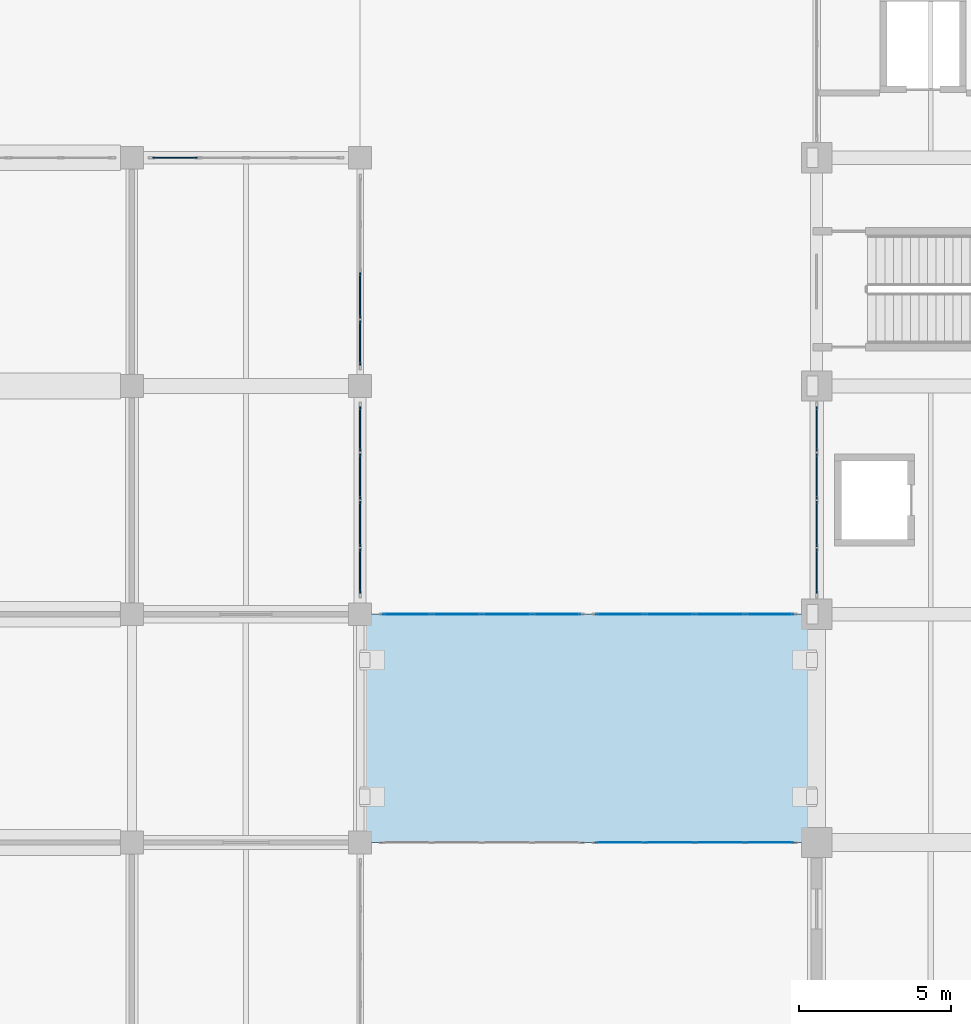
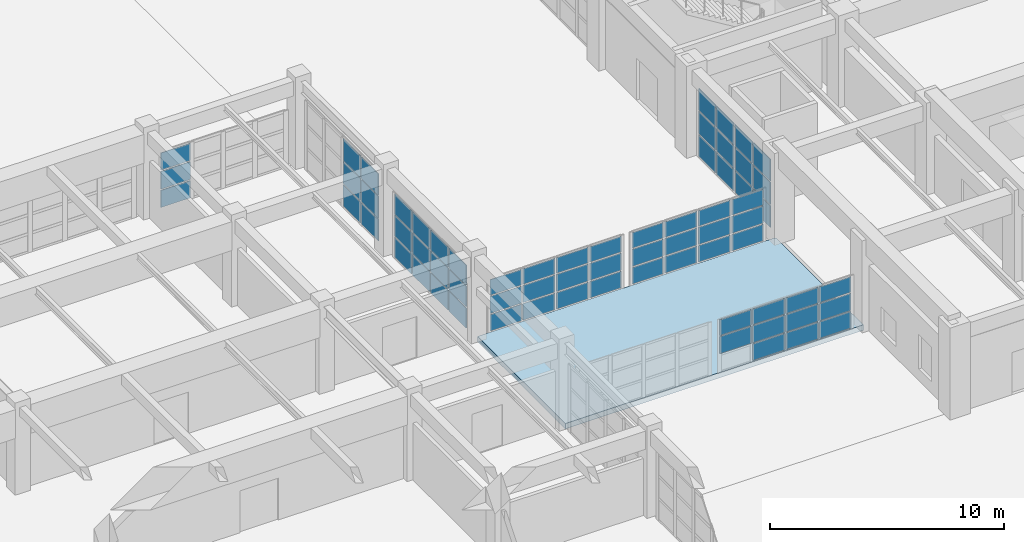
# One storey, part 73 of 122: 68 plates, 1 slab, 7 elements without a shape of their own.
"""IFC4 building model written with IfcOpenShell, lengths in metres."""

from ifc_helpers import new_model, si_unit, direction, frame, origin, origin_2d, place, context, subcontext, project, spatial, polyline, rectangle, outline, extrude, material, layer, layer_set, type_object, element, aggregate, save


model = new_model("IFC4")

# Units and contexts
model_context = context("Model", 3, precision=1e-05, world=origin(), true_north=direction((0.0, 1.0)))
body_context = subcontext(model_context, "Body", "Model", "MODEL_VIEW")
ifc_project = project(units=[si_unit("LENGTHUNIT", "METRE"), si_unit("AREAUNIT", "SQUARE_METRE"), si_unit("VOLUMEUNIT", "CUBIC_METRE"), si_unit("PLANEANGLEUNIT", "RADIAN"), si_unit("MASSUNIT", "GRAM", prefix="KILO")], contexts=[model_context])

# Site, building, storey
site_placement = place(None, origin())
site = spatial("IfcSite", under=ifc_project, at=site_placement, CompositionType="ELEMENT")
building_placement = place(site_placement, origin())
building = spatial("IfcBuilding", under=site, at=building_placement, Name="Qasida Concert Hall", CompositionType="ELEMENT")
storey_placement = place(building_placement, origin())
storey = spatial("IfcBuildingStorey", under=building, at=storey_placement, Name="L00", CompositionType="ELEMENT", Elevation=0.0)

# Curtain wall, plates
ifc_material_1 = material(Name="Architectural bronze-anodized aluminium and low-E glass", Category="aluminium")
curtain_wall_type_1 = type_object("IfcCurtainWallType", Name="CW-01", PredefinedType="NOTDEFINED", material=ifc_material_1)
curtain_wall_1_placement = place(storey_placement, origin())
curtain_wall_1 = element("IfcCurtainWall", 1, at=curtain_wall_1_placement, inside=storey, type_object=curtain_wall_type_1, Name="L00 curtain wall CW-01 0037", PredefinedType="NOTDEFINED")
ifc_material_2 = material(Name="Solar-control low-E double glazing", Category="glass")
ifc_layer_1 = layer(ifc_material_2, 0.035888671875, Name="Solar-control low-E double glazing")
ifc_layer_set_1 = layer_set([ifc_layer_1], Name="Solar-control low-E double glazing")
plate_type_1 = type_object("IfcPlateType", Name="PLT-CWP-1", PredefinedType="CURTAIN_PANEL", material=ifc_layer_set_1)
plate_1_placement = place(storey_placement, frame((52.5, 38.919921875, 0.06494140625), z_axis=(0.0, 0.0, 1.0), x_axis=(0.0, 1.0, 0.0)))
plate_1 = element("IfcPlate", 2, at=plate_1_placement, type_object=plate_type_1, Name="CW-01 panel 1.1", PredefinedType="CURTAIN_PANEL", context=body_context, shape_type="SweptSolid", body=[
    extrude(rectangle(XDim=1.4599609375, YDim=0.035888671875, at=origin_2d()), origin(), (0.0, 0.0, 1.0), 1.125732421875),
])
plate_2_placement = place(storey_placement, frame((52.5, 38.919921875, 1.255859375), z_axis=(0.0, 0.0, 1.0), x_axis=(0.0, 1.0, 0.0)))
plate_2 = element("IfcPlate", 3, at=plate_2_placement, type_object=plate_type_1, Name="CW-01 panel 1.2", PredefinedType="CURTAIN_PANEL", context=body_context, shape_type="SweptSolid", body=[
    extrude(rectangle(XDim=1.4599609375, YDim=0.035888671875, at=origin_2d()), origin(), (0.0, 0.0, 1.0), 1.158447265625),
])
plate_3_placement = place(storey_placement, frame((52.5, 38.919921875, 2.47900390625), z_axis=(0.0, 0.0, 1.0), x_axis=(0.0, 1.0, 0.0)))
plate_3 = element("IfcPlate", 4, at=plate_3_placement, type_object=plate_type_1, Name="CW-01 panel 1.3", PredefinedType="CURTAIN_PANEL", context=body_context, shape_type="SweptSolid", body=[
    extrude(rectangle(XDim=1.4599609375, YDim=0.035888671875, at=origin_2d()), origin(), (0.0, 0.0, 1.0), 1.125732421875),
])
plate_4_placement = place(storey_placement, frame((52.5, 40.467529296875, 0.06494140625), z_axis=(0.0, 0.0, 1.0), x_axis=(0.0, 1.0, 0.0)))
plate_4 = element("IfcPlate", 5, at=plate_4_placement, type_object=plate_type_1, Name="CW-01 panel 2.1", PredefinedType="CURTAIN_PANEL", context=body_context, shape_type="SweptSolid", body=[
    extrude(rectangle(XDim=1.4951171875, YDim=0.035888671875, at=origin_2d()), origin(), (0.0, 0.0, 1.0), 1.125732421875),
])
plate_5_placement = place(storey_placement, frame((52.5, 40.467529296875, 1.255859375), z_axis=(0.0, 0.0, 1.0), x_axis=(0.0, 1.0, 0.0)))
plate_5 = element("IfcPlate", 6, at=plate_5_placement, type_object=plate_type_1, Name="CW-01 panel 2.2", PredefinedType="CURTAIN_PANEL", context=body_context, shape_type="SweptSolid", body=[
    extrude(rectangle(XDim=1.4951171875, YDim=0.035888671875, at=origin_2d()), origin(), (0.0, 0.0, 1.0), 1.158447265625),
])
plate_6_placement = place(storey_placement, frame((52.5, 40.467529296875, 2.47900390625), z_axis=(0.0, 0.0, 1.0), x_axis=(0.0, 1.0, 0.0)))
plate_6 = element("IfcPlate", 7, at=plate_6_placement, type_object=plate_type_1, Name="CW-01 panel 2.3", PredefinedType="CURTAIN_PANEL", context=body_context, shape_type="SweptSolid", body=[
    extrude(rectangle(XDim=1.4951171875, YDim=0.035888671875, at=origin_2d()), origin(), (0.0, 0.0, 1.0), 1.125732421875),
])
plate_7_placement = place(storey_placement, frame((52.5, 42.032470703125, 0.06494140625), z_axis=(0.0, 0.0, 1.0), x_axis=(0.0, 1.0, 0.0)))
plate_7 = element("IfcPlate", 8, at=plate_7_placement, type_object=plate_type_1, Name="CW-01 panel 3.1", PredefinedType="CURTAIN_PANEL", context=body_context, shape_type="SweptSolid", body=[
    extrude(rectangle(XDim=1.4951171875, YDim=0.035888671875, at=origin_2d()), origin(), (0.0, 0.0, 1.0), 1.125732421875),
])
plate_8_placement = place(storey_placement, frame((52.5, 42.032470703125, 1.255859375), z_axis=(0.0, 0.0, 1.0), x_axis=(0.0, 1.0, 0.0)))
plate_8 = element("IfcPlate", 9, at=plate_8_placement, type_object=plate_type_1, Name="CW-01 panel 3.2", PredefinedType="CURTAIN_PANEL", context=body_context, shape_type="SweptSolid", body=[
    extrude(rectangle(XDim=1.4951171875, YDim=0.035888671875, at=origin_2d()), origin(), (0.0, 0.0, 1.0), 1.158447265625),
])
plate_9_placement = place(storey_placement, frame((52.5, 42.032470703125, 2.47900390625), z_axis=(0.0, 0.0, 1.0), x_axis=(0.0, 1.0, 0.0)))
plate_9 = element("IfcPlate", 10, at=plate_9_placement, type_object=plate_type_1, Name="CW-01 panel 3.3", PredefinedType="CURTAIN_PANEL", context=body_context, shape_type="SweptSolid", body=[
    extrude(rectangle(XDim=1.4951171875, YDim=0.035888671875, at=origin_2d()), origin(), (0.0, 0.0, 1.0), 1.125732421875),
])
plate_10_placement = place(storey_placement, frame((52.5, 43.580078125, 0.06494140625), z_axis=(0.0, 0.0, 1.0), x_axis=(0.0, 1.0, 0.0)))
plate_10 = element("IfcPlate", 11, at=plate_10_placement, type_object=plate_type_1, Name="CW-01 panel 4.1", PredefinedType="CURTAIN_PANEL", context=body_context, shape_type="SweptSolid", body=[
    extrude(rectangle(XDim=1.4599609375, YDim=0.035888671875, at=origin_2d()), origin(), (0.0, 0.0, 1.0), 1.125732421875),
])
plate_11_placement = place(storey_placement, frame((52.5, 43.580078125, 1.255859375), z_axis=(0.0, 0.0, 1.0), x_axis=(0.0, 1.0, 0.0)))
plate_11 = element("IfcPlate", 12, at=plate_11_placement, type_object=plate_type_1, Name="CW-01 panel 4.2", PredefinedType="CURTAIN_PANEL", context=body_context, shape_type="SweptSolid", body=[
    extrude(rectangle(XDim=1.4599609375, YDim=0.035888671875, at=origin_2d()), origin(), (0.0, 0.0, 1.0), 1.158447265625),
])
plate_12_placement = place(storey_placement, frame((52.5, 43.580078125, 2.47900390625), z_axis=(0.0, 0.0, 1.0), x_axis=(0.0, 1.0, 0.0)))
plate_12 = element("IfcPlate", 13, at=plate_12_placement, type_object=plate_type_1, Name="CW-01 panel 4.3", PredefinedType="CURTAIN_PANEL", context=body_context, shape_type="SweptSolid", body=[
    extrude(rectangle(XDim=1.4599609375, YDim=0.035888671875, at=origin_2d()), origin(), (0.0, 0.0, 1.0), 1.125732421875),
])
aggregate(curtain_wall_1, [plate_1, plate_2, plate_3, plate_4, plate_5, plate_6, plate_7, plate_8, plate_9, plate_10, plate_11, plate_12])

curtain_wall_type_2 = type_object("IfcCurtainWallType", Name="CW-06", PredefinedType="NOTDEFINED", material=ifc_material_1)
curtain_wall_2_placement = place(storey_placement, origin())
curtain_wall_2 = element("IfcCurtainWall", 14, at=curtain_wall_2_placement, inside=storey, type_object=curtain_wall_type_2, Name="L00 curtain wall CW-06 0072", PredefinedType="NOTDEFINED")
ifc_layer_2 = layer(ifc_material_2, 0.0400390625, Name="Solar-control low-E double glazing")
ifc_layer_set_2 = layer_set([ifc_layer_2], Name="Solar-control low-E double glazing")
plate_type_2 = type_object("IfcPlateType", Name="PLT-CWP-4", PredefinedType="CURTAIN_PANEL", material=ifc_layer_set_2)
plate_13_placement = place(storey_placement, frame((31.419921875, 52.5, 0.06494140625), z_axis=(0.0, 0.0, 1.0), x_axis=(1.0, 0.0, 0.0)))
plate_13 = element("IfcPlate", 15, at=plate_13_placement, type_object=plate_type_2, Name="CW-06 panel 1.1", PredefinedType="CURTAIN_PANEL", context=body_context, shape_type="SweptSolid", body=[
    extrude(rectangle(XDim=1.4599609375, YDim=0.0400390625, at=origin_2d()), origin(), (0.0, 0.0, 1.0), 0.892578125),
])
plate_14_placement = place(storey_placement, frame((31.419921875, 52.5, 1.0224609375), z_axis=(0.0, 0.0, 1.0), x_axis=(1.0, 0.0, 0.0)))
plate_14 = element("IfcPlate", 16, at=plate_14_placement, type_object=plate_type_2, Name="CW-06 panel 1.2", PredefinedType="CURTAIN_PANEL", context=body_context, shape_type="SweptSolid", body=[
    extrude(rectangle(XDim=1.4599609375, YDim=0.0400390625, at=origin_2d()), origin(), (0.0, 0.0, 1.0), 0.925048828125),
])
plate_15_placement = place(storey_placement, frame((31.419921875, 52.5, 2.012451171875), z_axis=(0.0, 0.0, 1.0), x_axis=(1.0, 0.0, 0.0)))
plate_15 = element("IfcPlate", 17, at=plate_15_placement, type_object=plate_type_2, Name="CW-06 panel 1.3", PredefinedType="CURTAIN_PANEL", context=body_context, shape_type="SweptSolid", body=[
    extrude(rectangle(XDim=1.4599609375, YDim=0.0400390625, at=origin_2d()), origin(), (0.0, 0.0, 1.0), 0.892578125),
])
aggregate(curtain_wall_2, [plate_13, plate_14, plate_15])

curtain_wall_3_placement = place(storey_placement, origin())
curtain_wall_3 = element("IfcCurtainWall", 18, at=curtain_wall_3_placement, inside=storey, type_object=curtain_wall_type_2, Name="L00 curtain wall CW-06 0079", PredefinedType="NOTDEFINED")
plate_16_placement = place(storey_placement, frame((37.5, 38.919921875, 0.06494140625), z_axis=(0.0, 0.0, 1.0), x_axis=(0.0, 1.0, 0.0)))
plate_16 = element("IfcPlate", 19, at=plate_16_placement, type_object=plate_type_2, Name="CW-06 panel 1.1", PredefinedType="CURTAIN_PANEL", context=body_context, shape_type="SweptSolid", body=[
    extrude(rectangle(XDim=1.4599609375, YDim=0.0400390625, at=origin_2d()), origin(), (0.0, 0.0, 1.0), 1.04248046875),
])
plate_17_placement = place(storey_placement, frame((37.5, 38.919921875, 1.17236328125), z_axis=(0.0, 0.0, 1.0), x_axis=(0.0, 1.0, 0.0)))
plate_17 = element("IfcPlate", 20, at=plate_17_placement, type_object=plate_type_2, Name="CW-06 panel 1.2", PredefinedType="CURTAIN_PANEL", context=body_context, shape_type="SweptSolid", body=[
    extrude(rectangle(XDim=1.4599609375, YDim=0.0400390625, at=origin_2d()), origin(), (0.0, 0.0, 1.0), 1.074951171875),
])
plate_18_placement = place(storey_placement, frame((37.5, 38.919921875, 2.3125), z_axis=(0.0, 0.0, 1.0), x_axis=(0.0, 1.0, 0.0)))
plate_18 = element("IfcPlate", 21, at=plate_18_placement, type_object=plate_type_2, Name="CW-06 panel 1.3", PredefinedType="CURTAIN_PANEL", context=body_context, shape_type="SweptSolid", body=[
    extrude(rectangle(XDim=1.4599609375, YDim=0.0400390625, at=origin_2d()), origin(), (0.0, 0.0, 1.0), 1.04248046875),
])
plate_19_placement = place(storey_placement, frame((37.5, 40.467529296875, 0.06494140625), z_axis=(0.0, 0.0, 1.0), x_axis=(0.0, 1.0, 0.0)))
plate_19 = element("IfcPlate", 22, at=plate_19_placement, type_object=plate_type_2, Name="CW-06 panel 2.1", PredefinedType="CURTAIN_PANEL", context=body_context, shape_type="SweptSolid", body=[
    extrude(rectangle(XDim=1.4951171875, YDim=0.0400390625, at=origin_2d()), origin(), (0.0, 0.0, 1.0), 1.04248046875),
])
plate_20_placement = place(storey_placement, frame((37.5, 40.467529296875, 1.17236328125), z_axis=(0.0, 0.0, 1.0), x_axis=(0.0, 1.0, 0.0)))
plate_20 = element("IfcPlate", 23, at=plate_20_placement, type_object=plate_type_2, Name="CW-06 panel 2.2", PredefinedType="CURTAIN_PANEL", context=body_context, shape_type="SweptSolid", body=[
    extrude(rectangle(XDim=1.4951171875, YDim=0.0400390625, at=origin_2d()), origin(), (0.0, 0.0, 1.0), 1.074951171875),
])
plate_21_placement = place(storey_placement, frame((37.5, 40.467529296875, 2.3125), z_axis=(0.0, 0.0, 1.0), x_axis=(0.0, 1.0, 0.0)))
plate_21 = element("IfcPlate", 24, at=plate_21_placement, type_object=plate_type_2, Name="CW-06 panel 2.3", PredefinedType="CURTAIN_PANEL", context=body_context, shape_type="SweptSolid", body=[
    extrude(rectangle(XDim=1.4951171875, YDim=0.0400390625, at=origin_2d()), origin(), (0.0, 0.0, 1.0), 1.04248046875),
])
plate_22_placement = place(storey_placement, frame((37.5, 42.032470703125, 0.06494140625), z_axis=(0.0, 0.0, 1.0), x_axis=(0.0, 1.0, 0.0)))
plate_22 = element("IfcPlate", 25, at=plate_22_placement, type_object=plate_type_2, Name="CW-06 panel 3.1", PredefinedType="CURTAIN_PANEL", context=body_context, shape_type="SweptSolid", body=[
    extrude(rectangle(XDim=1.4951171875, YDim=0.0400390625, at=origin_2d()), origin(), (0.0, 0.0, 1.0), 1.04248046875),
])
plate_23_placement = place(storey_placement, frame((37.5, 42.032470703125, 1.17236328125), z_axis=(0.0, 0.0, 1.0), x_axis=(0.0, 1.0, 0.0)))
plate_23 = element("IfcPlate", 26, at=plate_23_placement, type_object=plate_type_2, Name="CW-06 panel 3.2", PredefinedType="CURTAIN_PANEL", context=body_context, shape_type="SweptSolid", body=[
    extrude(rectangle(XDim=1.4951171875, YDim=0.0400390625, at=origin_2d()), origin(), (0.0, 0.0, 1.0), 1.074951171875),
])
plate_24_placement = place(storey_placement, frame((37.5, 42.032470703125, 2.3125), z_axis=(0.0, 0.0, 1.0), x_axis=(0.0, 1.0, 0.0)))
plate_24 = element("IfcPlate", 27, at=plate_24_placement, type_object=plate_type_2, Name="CW-06 panel 3.3", PredefinedType="CURTAIN_PANEL", context=body_context, shape_type="SweptSolid", body=[
    extrude(rectangle(XDim=1.4951171875, YDim=0.0400390625, at=origin_2d()), origin(), (0.0, 0.0, 1.0), 1.04248046875),
])
plate_25_placement = place(storey_placement, frame((37.5, 43.580078125, 0.06494140625), z_axis=(0.0, 0.0, 1.0), x_axis=(0.0, 1.0, 0.0)))
plate_25 = element("IfcPlate", 28, at=plate_25_placement, type_object=plate_type_2, Name="CW-06 panel 4.1", PredefinedType="CURTAIN_PANEL", context=body_context, shape_type="SweptSolid", body=[
    extrude(rectangle(XDim=1.4599609375, YDim=0.0400390625, at=origin_2d()), origin(), (0.0, 0.0, 1.0), 1.04248046875),
])
plate_26_placement = place(storey_placement, frame((37.5, 43.580078125, 1.17236328125), z_axis=(0.0, 0.0, 1.0), x_axis=(0.0, 1.0, 0.0)))
plate_26 = element("IfcPlate", 29, at=plate_26_placement, type_object=plate_type_2, Name="CW-06 panel 4.2", PredefinedType="CURTAIN_PANEL", context=body_context, shape_type="SweptSolid", body=[
    extrude(rectangle(XDim=1.4599609375, YDim=0.0400390625, at=origin_2d()), origin(), (0.0, 0.0, 1.0), 1.074951171875),
])
plate_27_placement = place(storey_placement, frame((37.5, 43.580078125, 2.3125), z_axis=(0.0, 0.0, 1.0), x_axis=(0.0, 1.0, 0.0)))
plate_27 = element("IfcPlate", 30, at=plate_27_placement, type_object=plate_type_2, Name="CW-06 panel 4.3", PredefinedType="CURTAIN_PANEL", context=body_context, shape_type="SweptSolid", body=[
    extrude(rectangle(XDim=1.4599609375, YDim=0.0400390625, at=origin_2d()), origin(), (0.0, 0.0, 1.0), 1.04248046875),
])
aggregate(curtain_wall_3, [plate_16, plate_17, plate_18, plate_19, plate_20, plate_21, plate_22, plate_23, plate_24, plate_25, plate_26, plate_27])

curtain_wall_4_placement = place(storey_placement, origin())
curtain_wall_4 = element("IfcCurtainWall", 31, at=curtain_wall_4_placement, inside=storey, type_object=curtain_wall_type_2, Name="L00 curtain wall CW-06 0080", PredefinedType="NOTDEFINED")
plate_28_placement = place(storey_placement, frame((37.5, 46.419921875, 0.06494140625), z_axis=(0.0, 0.0, 1.0), x_axis=(0.0, 1.0, 0.0)))
plate_28 = element("IfcPlate", 32, at=plate_28_placement, type_object=plate_type_2, Name="CW-06 panel 1.1", PredefinedType="CURTAIN_PANEL", context=body_context, shape_type="SweptSolid", body=[
    extrude(rectangle(XDim=1.4599609375, YDim=0.0400390625, at=origin_2d()), origin(), (0.0, 0.0, 1.0), 1.109130859375),
])
plate_29_placement = place(storey_placement, frame((37.5, 46.419921875, 1.2392578125), z_axis=(0.0, 0.0, 1.0), x_axis=(0.0, 1.0, 0.0)))
plate_29 = element("IfcPlate", 33, at=plate_29_placement, type_object=plate_type_2, Name="CW-06 panel 1.2", PredefinedType="CURTAIN_PANEL", context=body_context, shape_type="SweptSolid", body=[
    extrude(rectangle(XDim=1.4599609375, YDim=0.0400390625, at=origin_2d()), origin(), (0.0, 0.0, 1.0), 1.1416015625),
])
plate_30_placement = place(storey_placement, frame((37.5, 46.419921875, 2.44580078125), z_axis=(0.0, 0.0, 1.0), x_axis=(0.0, 1.0, 0.0)))
plate_30 = element("IfcPlate", 34, at=plate_30_placement, type_object=plate_type_2, Name="CW-06 panel 1.3", PredefinedType="CURTAIN_PANEL", context=body_context, shape_type="SweptSolid", body=[
    extrude(rectangle(XDim=1.4599609375, YDim=0.0400390625, at=origin_2d()), origin(), (0.0, 0.0, 1.0), 1.109130859375),
])
plate_31_placement = place(storey_placement, frame((37.5, 47.967529296875, 0.06494140625), z_axis=(0.0, 0.0, 1.0), x_axis=(0.0, 1.0, 0.0)))
plate_31 = element("IfcPlate", 35, at=plate_31_placement, type_object=plate_type_2, Name="CW-06 panel 2.1", PredefinedType="CURTAIN_PANEL", context=body_context, shape_type="SweptSolid", body=[
    extrude(rectangle(XDim=1.4951171875, YDim=0.0400390625, at=origin_2d()), origin(), (0.0, 0.0, 1.0), 1.109130859375),
])
plate_32_placement = place(storey_placement, frame((37.5, 47.967529296875, 1.2392578125), z_axis=(0.0, 0.0, 1.0), x_axis=(0.0, 1.0, 0.0)))
plate_32 = element("IfcPlate", 36, at=plate_32_placement, type_object=plate_type_2, Name="CW-06 panel 2.2", PredefinedType="CURTAIN_PANEL", context=body_context, shape_type="SweptSolid", body=[
    extrude(rectangle(XDim=1.4951171875, YDim=0.0400390625, at=origin_2d()), origin(), (0.0, 0.0, 1.0), 1.1416015625),
])
plate_33_placement = place(storey_placement, frame((37.5, 47.967529296875, 2.44580078125), z_axis=(0.0, 0.0, 1.0), x_axis=(0.0, 1.0, 0.0)))
plate_33 = element("IfcPlate", 37, at=plate_33_placement, type_object=plate_type_2, Name="CW-06 panel 2.3", PredefinedType="CURTAIN_PANEL", context=body_context, shape_type="SweptSolid", body=[
    extrude(rectangle(XDim=1.4951171875, YDim=0.0400390625, at=origin_2d()), origin(), (0.0, 0.0, 1.0), 1.109130859375),
])
aggregate(curtain_wall_4, [plate_28, plate_29, plate_30, plate_31, plate_32, plate_33])

curtain_wall_type_3 = type_object("IfcCurtainWallType", Name="CW-08", PredefinedType="NOTDEFINED", material=ifc_material_1)
curtain_wall_5_placement = place(storey_placement, origin())
curtain_wall_5 = element("IfcCurtainWall", 38, at=curtain_wall_5_placement, inside=storey, type_object=curtain_wall_type_3, Name="L00 link bridge glazing 0195", PredefinedType="NOTDEFINED")
ifc_layer_3 = layer(ifc_material_2, 0.02392578125, Name="Solar-control low-E double glazing")
ifc_layer_set_3 = layer_set([ifc_layer_3], Name="Solar-control low-E double glazing")
plate_type_3 = type_object("IfcPlateType", Name="PLT-CWP-5", PredefinedType="CURTAIN_PANEL", material=ifc_layer_set_3)
plate_34_placement = place(storey_placement, frame((39.041259765625, 37.5, 0.06005859375), z_axis=(0.0, 0.0, 1.0), x_axis=(1.0, 0.0, 0.0)))
plate_34 = element("IfcPlate", 39, at=plate_34_placement, type_object=plate_type_3, Name="CW-08 panel 1.1", PredefinedType="CURTAIN_PANEL", context=body_context, shape_type="SweptSolid", body=[
    extrude(rectangle(XDim=1.552490234375, YDim=0.02392578125, at=origin_2d()), origin(), (0.0, 0.0, 1.0), 0.860107421875),
])
plate_35_placement = place(storey_placement, frame((39.041259765625, 37.5, 0.97998046875), z_axis=(0.0, 0.0, 1.0), x_axis=(1.0, 0.0, 0.0)))
plate_35 = element("IfcPlate", 40, at=plate_35_placement, type_object=plate_type_3, Name="CW-08 panel 1.2", PredefinedType="CURTAIN_PANEL", context=body_context, shape_type="SweptSolid", body=[
    extrude(rectangle(XDim=1.552490234375, YDim=0.02392578125, at=origin_2d()), origin(), (0.0, 0.0, 1.0), 0.889892578125),
])
plate_36_placement = place(storey_placement, frame((39.041259765625, 37.5, 1.929931640625), z_axis=(0.0, 0.0, 1.0), x_axis=(1.0, 0.0, 0.0)))
plate_36 = element("IfcPlate", 41, at=plate_36_placement, type_object=plate_type_3, Name="CW-08 panel 1.3", PredefinedType="CURTAIN_PANEL", context=body_context, shape_type="SweptSolid", body=[
    extrude(rectangle(XDim=1.552490234375, YDim=0.02392578125, at=origin_2d()), origin(), (0.0, 0.0, 1.0), 0.81005859375),
])
plate_37_placement = place(storey_placement, frame((40.675048828125, 37.5, 0.06005859375), z_axis=(0.0, 0.0, 1.0), x_axis=(1.0, 0.0, 0.0)))
plate_37 = element("IfcPlate", 42, at=plate_37_placement, type_object=plate_type_3, Name="CW-08 panel 2.1", PredefinedType="CURTAIN_PANEL", context=body_context, shape_type="SweptSolid", body=[
    extrude(rectangle(XDim=1.5849609375, YDim=0.02392578125, at=origin_2d()), origin(), (0.0, 0.0, 1.0), 0.860107421875),
])
plate_38_placement = place(storey_placement, frame((40.675048828125, 37.5, 0.97998046875), z_axis=(0.0, 0.0, 1.0), x_axis=(1.0, 0.0, 0.0)))
plate_38 = element("IfcPlate", 43, at=plate_38_placement, type_object=plate_type_3, Name="CW-08 panel 2.2", PredefinedType="CURTAIN_PANEL", context=body_context, shape_type="SweptSolid", body=[
    extrude(rectangle(XDim=1.5849609375, YDim=0.02392578125, at=origin_2d()), origin(), (0.0, 0.0, 1.0), 0.889892578125),
])
plate_39_placement = place(storey_placement, frame((40.675048828125, 37.5, 1.929931640625), z_axis=(0.0, 0.0, 1.0), x_axis=(1.0, 0.0, 0.0)))
plate_39 = element("IfcPlate", 44, at=plate_39_placement, type_object=plate_type_3, Name="CW-08 panel 2.3", PredefinedType="CURTAIN_PANEL", context=body_context, shape_type="SweptSolid", body=[
    extrude(rectangle(XDim=1.5849609375, YDim=0.02392578125, at=origin_2d()), origin(), (0.0, 0.0, 1.0), 0.81005859375),
])
plate_40_placement = place(storey_placement, frame((42.324951171875, 37.5, 0.06005859375), z_axis=(0.0, 0.0, 1.0), x_axis=(1.0, 0.0, 0.0)))
plate_40 = element("IfcPlate", 45, at=plate_40_placement, type_object=plate_type_3, Name="CW-08 panel 3.1", PredefinedType="CURTAIN_PANEL", context=body_context, shape_type="SweptSolid", body=[
    extrude(rectangle(XDim=1.5849609375, YDim=0.02392578125, at=origin_2d()), origin(), (0.0, 0.0, 1.0), 0.860107421875),
])
plate_41_placement = place(storey_placement, frame((42.324951171875, 37.5, 0.97998046875), z_axis=(0.0, 0.0, 1.0), x_axis=(1.0, 0.0, 0.0)))
plate_41 = element("IfcPlate", 46, at=plate_41_placement, type_object=plate_type_3, Name="CW-08 panel 3.2", PredefinedType="CURTAIN_PANEL", context=body_context, shape_type="SweptSolid", body=[
    extrude(rectangle(XDim=1.5849609375, YDim=0.02392578125, at=origin_2d()), origin(), (0.0, 0.0, 1.0), 0.889892578125),
])
plate_42_placement = place(storey_placement, frame((42.324951171875, 37.5, 1.929931640625), z_axis=(0.0, 0.0, 1.0), x_axis=(1.0, 0.0, 0.0)))
plate_42 = element("IfcPlate", 47, at=plate_42_placement, type_object=plate_type_3, Name="CW-08 panel 3.3", PredefinedType="CURTAIN_PANEL", context=body_context, shape_type="SweptSolid", body=[
    extrude(rectangle(XDim=1.5849609375, YDim=0.02392578125, at=origin_2d()), origin(), (0.0, 0.0, 1.0), 0.81005859375),
])
plate_43_placement = place(storey_placement, frame((43.958740234375, 37.5, 0.06005859375), z_axis=(0.0, 0.0, 1.0), x_axis=(1.0, 0.0, 0.0)))
plate_43 = element("IfcPlate", 48, at=plate_43_placement, type_object=plate_type_3, Name="CW-08 panel 4.1", PredefinedType="CURTAIN_PANEL", context=body_context, shape_type="SweptSolid", body=[
    extrude(rectangle(XDim=1.552490234375, YDim=0.02392578125, at=origin_2d()), origin(), (0.0, 0.0, 1.0), 0.860107421875),
])
plate_44_placement = place(storey_placement, frame((43.958740234375, 37.5, 0.97998046875), z_axis=(0.0, 0.0, 1.0), x_axis=(1.0, 0.0, 0.0)))
plate_44 = element("IfcPlate", 49, at=plate_44_placement, type_object=plate_type_3, Name="CW-08 panel 4.2", PredefinedType="CURTAIN_PANEL", context=body_context, shape_type="SweptSolid", body=[
    extrude(rectangle(XDim=1.552490234375, YDim=0.02392578125, at=origin_2d()), origin(), (0.0, 0.0, 1.0), 0.889892578125),
])
plate_45_placement = place(storey_placement, frame((43.958740234375, 37.5, 1.929931640625), z_axis=(0.0, 0.0, 1.0), x_axis=(1.0, 0.0, 0.0)))
plate_45 = element("IfcPlate", 50, at=plate_45_placement, type_object=plate_type_3, Name="CW-08 panel 4.3", PredefinedType="CURTAIN_PANEL", context=body_context, shape_type="SweptSolid", body=[
    extrude(rectangle(XDim=1.552490234375, YDim=0.02392578125, at=origin_2d()), origin(), (0.0, 0.0, 1.0), 0.81005859375),
])
aggregate(curtain_wall_5, [plate_34, plate_35, plate_36, plate_37, plate_38, plate_39, plate_40, plate_41, plate_42, plate_43, plate_44, plate_45])

curtain_wall_6_placement = place(storey_placement, origin())
curtain_wall_6 = element("IfcCurtainWall", 51, at=curtain_wall_6_placement, inside=storey, type_object=curtain_wall_type_3, Name="L00 link bridge glazing 0196", PredefinedType="NOTDEFINED")
plate_46_placement = place(storey_placement, frame((46.041259765625, 30.0, 0.97998046875), z_axis=(0.0, 0.0, 1.0), x_axis=(1.0, 0.0, 0.0)))
plate_46 = element("IfcPlate", 52, at=plate_46_placement, type_object=plate_type_3, Name="CW-08 panel 1.2", PredefinedType="CURTAIN_PANEL", context=body_context, shape_type="SweptSolid", body=[
    extrude(rectangle(XDim=1.552490234375, YDim=0.02392578125, at=origin_2d()), origin(), (0.0, 0.0, 1.0), 0.889892578125),
])
plate_47_placement = place(storey_placement, frame((46.041259765625, 30.0, 1.929931640625), z_axis=(0.0, 0.0, 1.0), x_axis=(1.0, 0.0, 0.0)))
plate_47 = element("IfcPlate", 53, at=plate_47_placement, type_object=plate_type_3, Name="CW-08 panel 1.3", PredefinedType="CURTAIN_PANEL", context=body_context, shape_type="SweptSolid", body=[
    extrude(rectangle(XDim=1.552490234375, YDim=0.02392578125, at=origin_2d()), origin(), (0.0, 0.0, 1.0), 0.81005859375),
])
plate_48_placement = place(storey_placement, frame((47.675048828125, 30.0, 0.06005859375), z_axis=(0.0, 0.0, 1.0), x_axis=(1.0, 0.0, 0.0)))
plate_48 = element("IfcPlate", 54, at=plate_48_placement, type_object=plate_type_3, Name="CW-08 panel 2.1", PredefinedType="CURTAIN_PANEL", context=body_context, shape_type="SweptSolid", body=[
    extrude(rectangle(XDim=1.5849609375, YDim=0.02392578125, at=origin_2d()), origin(), (0.0, 0.0, 1.0), 0.860107421875),
])
plate_49_placement = place(storey_placement, frame((47.675048828125, 30.0, 0.97998046875), z_axis=(0.0, 0.0, 1.0), x_axis=(1.0, 0.0, 0.0)))
plate_49 = element("IfcPlate", 55, at=plate_49_placement, type_object=plate_type_3, Name="CW-08 panel 2.2", PredefinedType="CURTAIN_PANEL", context=body_context, shape_type="SweptSolid", body=[
    extrude(rectangle(XDim=1.5849609375, YDim=0.02392578125, at=origin_2d()), origin(), (0.0, 0.0, 1.0), 0.889892578125),
])
plate_50_placement = place(storey_placement, frame((47.675048828125, 30.0, 1.929931640625), z_axis=(0.0, 0.0, 1.0), x_axis=(1.0, 0.0, 0.0)))
plate_50 = element("IfcPlate", 56, at=plate_50_placement, type_object=plate_type_3, Name="CW-08 panel 2.3", PredefinedType="CURTAIN_PANEL", context=body_context, shape_type="SweptSolid", body=[
    extrude(rectangle(XDim=1.5849609375, YDim=0.02392578125, at=origin_2d()), origin(), (0.0, 0.0, 1.0), 0.81005859375),
])
plate_51_placement = place(storey_placement, frame((49.324951171875, 30.0, 0.06005859375), z_axis=(0.0, 0.0, 1.0), x_axis=(1.0, 0.0, 0.0)))
plate_51 = element("IfcPlate", 57, at=plate_51_placement, type_object=plate_type_3, Name="CW-08 panel 3.1", PredefinedType="CURTAIN_PANEL", context=body_context, shape_type="SweptSolid", body=[
    extrude(rectangle(XDim=1.5849609375, YDim=0.02392578125, at=origin_2d()), origin(), (0.0, 0.0, 1.0), 0.860107421875),
])
plate_52_placement = place(storey_placement, frame((49.324951171875, 30.0, 0.97998046875), z_axis=(0.0, 0.0, 1.0), x_axis=(1.0, 0.0, 0.0)))
plate_52 = element("IfcPlate", 58, at=plate_52_placement, type_object=plate_type_3, Name="CW-08 panel 3.2", PredefinedType="CURTAIN_PANEL", context=body_context, shape_type="SweptSolid", body=[
    extrude(rectangle(XDim=1.5849609375, YDim=0.02392578125, at=origin_2d()), origin(), (0.0, 0.0, 1.0), 0.889892578125),
])
plate_53_placement = place(storey_placement, frame((49.324951171875, 30.0, 1.929931640625), z_axis=(0.0, 0.0, 1.0), x_axis=(1.0, 0.0, 0.0)))
plate_53 = element("IfcPlate", 59, at=plate_53_placement, type_object=plate_type_3, Name="CW-08 panel 3.3", PredefinedType="CURTAIN_PANEL", context=body_context, shape_type="SweptSolid", body=[
    extrude(rectangle(XDim=1.5849609375, YDim=0.02392578125, at=origin_2d()), origin(), (0.0, 0.0, 1.0), 0.81005859375),
])
plate_54_placement = place(storey_placement, frame((50.958740234375, 30.0, 0.06005859375), z_axis=(0.0, 0.0, 1.0), x_axis=(1.0, 0.0, 0.0)))
plate_54 = element("IfcPlate", 60, at=plate_54_placement, type_object=plate_type_3, Name="CW-08 panel 4.1", PredefinedType="CURTAIN_PANEL", context=body_context, shape_type="SweptSolid", body=[
    extrude(rectangle(XDim=1.552490234375, YDim=0.02392578125, at=origin_2d()), origin(), (0.0, 0.0, 1.0), 0.860107421875),
])
plate_55_placement = place(storey_placement, frame((50.958740234375, 30.0, 0.97998046875), z_axis=(0.0, 0.0, 1.0), x_axis=(1.0, 0.0, 0.0)))
plate_55 = element("IfcPlate", 61, at=plate_55_placement, type_object=plate_type_3, Name="CW-08 panel 4.2", PredefinedType="CURTAIN_PANEL", context=body_context, shape_type="SweptSolid", body=[
    extrude(rectangle(XDim=1.552490234375, YDim=0.02392578125, at=origin_2d()), origin(), (0.0, 0.0, 1.0), 0.889892578125),
])
plate_56_placement = place(storey_placement, frame((50.958740234375, 30.0, 1.929931640625), z_axis=(0.0, 0.0, 1.0), x_axis=(1.0, 0.0, 0.0)))
plate_56 = element("IfcPlate", 62, at=plate_56_placement, type_object=plate_type_3, Name="CW-08 panel 4.3", PredefinedType="CURTAIN_PANEL", context=body_context, shape_type="SweptSolid", body=[
    extrude(rectangle(XDim=1.552490234375, YDim=0.02392578125, at=origin_2d()), origin(), (0.0, 0.0, 1.0), 0.81005859375),
])
aggregate(curtain_wall_6, [plate_46, plate_47, plate_48, plate_49, plate_50, plate_51, plate_52, plate_53, plate_54, plate_55, plate_56])

curtain_wall_7_placement = place(storey_placement, origin())
curtain_wall_7 = element("IfcCurtainWall", 63, at=curtain_wall_7_placement, inside=storey, type_object=curtain_wall_type_3, Name="L00 link bridge glazing 0197", PredefinedType="NOTDEFINED")
plate_57_placement = place(storey_placement, frame((46.041259765625, 37.5, 0.06005859375), z_axis=(0.0, 0.0, 1.0), x_axis=(1.0, 0.0, 0.0)))
plate_57 = element("IfcPlate", 64, at=plate_57_placement, type_object=plate_type_3, Name="CW-08 panel 1.1", PredefinedType="CURTAIN_PANEL", context=body_context, shape_type="SweptSolid", body=[
    extrude(rectangle(XDim=1.552490234375, YDim=0.02392578125, at=origin_2d()), origin(), (0.0, 0.0, 1.0), 0.860107421875),
])
plate_58_placement = place(storey_placement, frame((46.041259765625, 37.5, 0.97998046875), z_axis=(0.0, 0.0, 1.0), x_axis=(1.0, 0.0, 0.0)))
plate_58 = element("IfcPlate", 65, at=plate_58_placement, type_object=plate_type_3, Name="CW-08 panel 1.2", PredefinedType="CURTAIN_PANEL", context=body_context, shape_type="SweptSolid", body=[
    extrude(rectangle(XDim=1.552490234375, YDim=0.02392578125, at=origin_2d()), origin(), (0.0, 0.0, 1.0), 0.889892578125),
])
plate_59_placement = place(storey_placement, frame((46.041259765625, 37.5, 1.929931640625), z_axis=(0.0, 0.0, 1.0), x_axis=(1.0, 0.0, 0.0)))
plate_59 = element("IfcPlate", 66, at=plate_59_placement, type_object=plate_type_3, Name="CW-08 panel 1.3", PredefinedType="CURTAIN_PANEL", context=body_context, shape_type="SweptSolid", body=[
    extrude(rectangle(XDim=1.552490234375, YDim=0.02392578125, at=origin_2d()), origin(), (0.0, 0.0, 1.0), 0.81005859375),
])
plate_60_placement = place(storey_placement, frame((47.675048828125, 37.5, 0.06005859375), z_axis=(0.0, 0.0, 1.0), x_axis=(1.0, 0.0, 0.0)))
plate_60 = element("IfcPlate", 67, at=plate_60_placement, type_object=plate_type_3, Name="CW-08 panel 2.1", PredefinedType="CURTAIN_PANEL", context=body_context, shape_type="SweptSolid", body=[
    extrude(rectangle(XDim=1.5849609375, YDim=0.02392578125, at=origin_2d()), origin(), (0.0, 0.0, 1.0), 0.860107421875),
])
plate_61_placement = place(storey_placement, frame((47.675048828125, 37.5, 0.97998046875), z_axis=(0.0, 0.0, 1.0), x_axis=(1.0, 0.0, 0.0)))
plate_61 = element("IfcPlate", 68, at=plate_61_placement, type_object=plate_type_3, Name="CW-08 panel 2.2", PredefinedType="CURTAIN_PANEL", context=body_context, shape_type="SweptSolid", body=[
    extrude(rectangle(XDim=1.5849609375, YDim=0.02392578125, at=origin_2d()), origin(), (0.0, 0.0, 1.0), 0.889892578125),
])
plate_62_placement = place(storey_placement, frame((47.675048828125, 37.5, 1.929931640625), z_axis=(0.0, 0.0, 1.0), x_axis=(1.0, 0.0, 0.0)))
plate_62 = element("IfcPlate", 69, at=plate_62_placement, type_object=plate_type_3, Name="CW-08 panel 2.3", PredefinedType="CURTAIN_PANEL", context=body_context, shape_type="SweptSolid", body=[
    extrude(rectangle(XDim=1.5849609375, YDim=0.02392578125, at=origin_2d()), origin(), (0.0, 0.0, 1.0), 0.81005859375),
])
plate_63_placement = place(storey_placement, frame((49.324951171875, 37.5, 0.06005859375), z_axis=(0.0, 0.0, 1.0), x_axis=(1.0, 0.0, 0.0)))
plate_63 = element("IfcPlate", 70, at=plate_63_placement, type_object=plate_type_3, Name="CW-08 panel 3.1", PredefinedType="CURTAIN_PANEL", context=body_context, shape_type="SweptSolid", body=[
    extrude(rectangle(XDim=1.5849609375, YDim=0.02392578125, at=origin_2d()), origin(), (0.0, 0.0, 1.0), 0.860107421875),
])
plate_64_placement = place(storey_placement, frame((49.324951171875, 37.5, 0.97998046875), z_axis=(0.0, 0.0, 1.0), x_axis=(1.0, 0.0, 0.0)))
plate_64 = element("IfcPlate", 71, at=plate_64_placement, type_object=plate_type_3, Name="CW-08 panel 3.2", PredefinedType="CURTAIN_PANEL", context=body_context, shape_type="SweptSolid", body=[
    extrude(rectangle(XDim=1.5849609375, YDim=0.02392578125, at=origin_2d()), origin(), (0.0, 0.0, 1.0), 0.889892578125),
])
plate_65_placement = place(storey_placement, frame((49.324951171875, 37.5, 1.929931640625), z_axis=(0.0, 0.0, 1.0), x_axis=(1.0, 0.0, 0.0)))
plate_65 = element("IfcPlate", 72, at=plate_65_placement, type_object=plate_type_3, Name="CW-08 panel 3.3", PredefinedType="CURTAIN_PANEL", context=body_context, shape_type="SweptSolid", body=[
    extrude(rectangle(XDim=1.5849609375, YDim=0.02392578125, at=origin_2d()), origin(), (0.0, 0.0, 1.0), 0.81005859375),
])
plate_66_placement = place(storey_placement, frame((50.958740234375, 37.5, 0.06005859375), z_axis=(0.0, 0.0, 1.0), x_axis=(1.0, 0.0, 0.0)))
plate_66 = element("IfcPlate", 73, at=plate_66_placement, type_object=plate_type_3, Name="CW-08 panel 4.1", PredefinedType="CURTAIN_PANEL", context=body_context, shape_type="SweptSolid", body=[
    extrude(rectangle(XDim=1.552490234375, YDim=0.02392578125, at=origin_2d()), origin(), (0.0, 0.0, 1.0), 0.860107421875),
])
plate_67_placement = place(storey_placement, frame((50.958740234375, 37.5, 0.97998046875), z_axis=(0.0, 0.0, 1.0), x_axis=(1.0, 0.0, 0.0)))
plate_67 = element("IfcPlate", 74, at=plate_67_placement, type_object=plate_type_3, Name="CW-08 panel 4.2", PredefinedType="CURTAIN_PANEL", context=body_context, shape_type="SweptSolid", body=[
    extrude(rectangle(XDim=1.552490234375, YDim=0.02392578125, at=origin_2d()), origin(), (0.0, 0.0, 1.0), 0.889892578125),
])
plate_68_placement = place(storey_placement, frame((50.958740234375, 37.5, 1.929931640625), z_axis=(0.0, 0.0, 1.0), x_axis=(1.0, 0.0, 0.0)))
plate_68 = element("IfcPlate", 75, at=plate_68_placement, type_object=plate_type_3, Name="CW-08 panel 4.3", PredefinedType="CURTAIN_PANEL", context=body_context, shape_type="SweptSolid", body=[
    extrude(rectangle(XDim=1.552490234375, YDim=0.02392578125, at=origin_2d()), origin(), (0.0, 0.0, 1.0), 0.81005859375),
])
aggregate(curtain_wall_7, [plate_57, plate_58, plate_59, plate_60, plate_61, plate_62, plate_63, plate_64, plate_65, plate_66, plate_67, plate_68])

# Slab
ifc_material_3 = material(Name="Concrete C40/50", Category="concrete")
ifc_layer_4 = layer(ifc_material_3, 0.280029296875, Name="Concrete C40/50")
ifc_layer_set_4 = layer_set([ifc_layer_4], Name="Concrete C40/50")
slab_type = type_object("IfcSlabType", Name="SL-FS-280", PredefinedType="FLOOR", material=ifc_layer_set_4)
slab_placement = place(storey_placement, frame((0.0, 0.0, -0.280029296875)))
element("IfcSlab", 76, at=slab_placement, inside=storey, type_object=slab_type, Name="Link V3-V1 bridge (FS-280)", PredefinedType="FLOOR", context=body_context, shape_type="SweptSolid", body=[
    extrude(outline(polyline([(37.64990234375, 30.0), (52.35009765625, 30.0), (52.35009765625, 37.5), (37.64990234375, 37.5), (37.64990234375, 30.0)])), origin(), (0.0, 0.0, 1.0), 0.280029296875),
])

save(model, "model.ifc")
